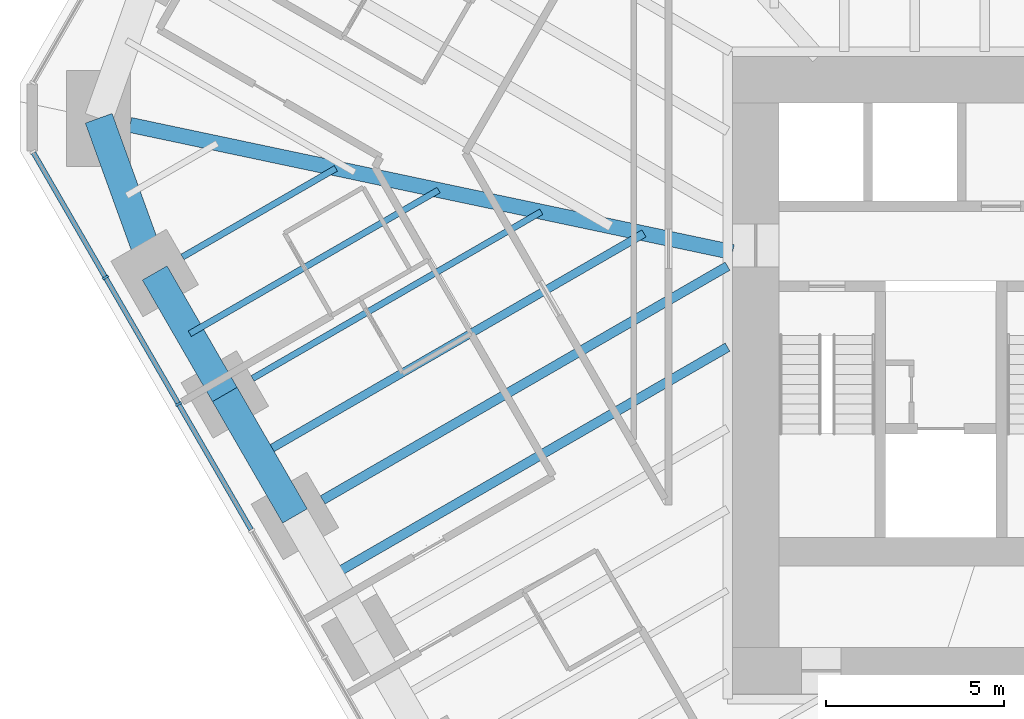
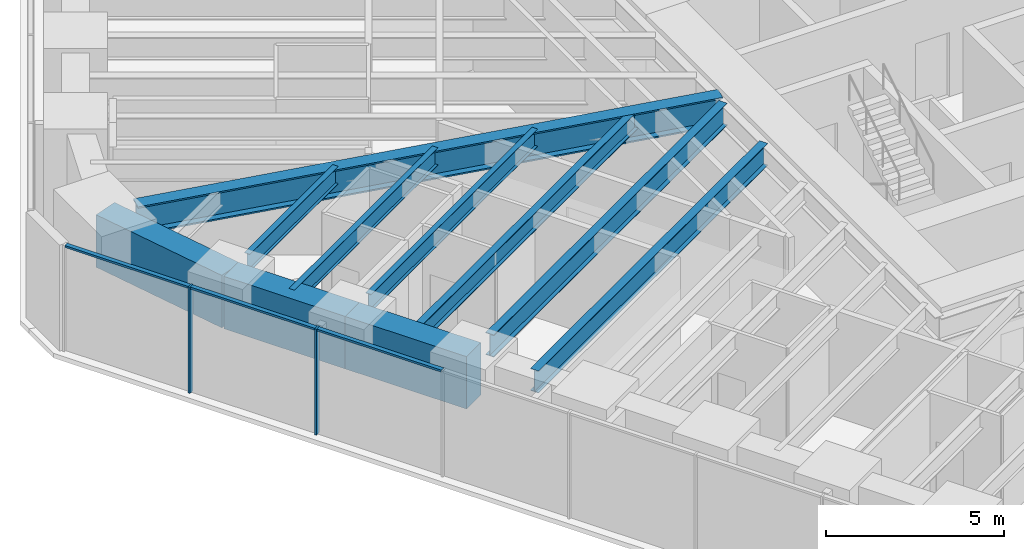
# One storey, part 3 of 17: 10 beams, 5 members, 1 element without a shape of its own.
"""IFC4 building model written with IfcOpenShell, lengths in metres."""

from ifc_helpers import new_model, si_unit, direction, frame, origin, origin_2d, place, context, subcontext, project, spatial, rectangle, i_section, extrude, material, material_profile, profile_set, type_object, element, aggregate, save


model = new_model("IFC4")

# Units and contexts
model_context = context("Model", 3, precision=1e-05, world=origin(), true_north=direction((0.0, 1.0)))
body_context = subcontext(model_context, "Body", "Model", "MODEL_VIEW")
ifc_project = project(units=[si_unit("LENGTHUNIT", "METRE"), si_unit("AREAUNIT", "SQUARE_METRE"), si_unit("VOLUMEUNIT", "CUBIC_METRE"), si_unit("PLANEANGLEUNIT", "RADIAN"), si_unit("MASSUNIT", "GRAM", prefix="KILO")], contexts=[model_context])

# Site, building, storey
site_placement = place(None, origin())
site = spatial("IfcSite", under=ifc_project, at=site_placement, CompositionType="ELEMENT")
building_placement = place(site_placement, origin())
building = spatial("IfcBuilding", under=site, at=building_placement, Name="Sandreach Pilgrim Tower", CompositionType="ELEMENT")
storey_placement = place(building_placement, frame((0.0, 0.0, 112.0)))
storey = spatial("IfcBuildingStorey", under=building, at=storey_placement, Name="L27", CompositionType="ELEMENT", Elevation=112.0)

# Curtain wall, members
ifc_material_1 = material(Name="Aluminium framed curtain wall", Category="aluminium")
curtain_wall_type = type_object("IfcCurtainWallType", Name="Hotel tower curtain wall", PredefinedType="NOTDEFINED", material=ifc_material_1)
curtain_wall_placement = place(storey_placement, origin())
curtain_wall = element("IfcCurtainWall", 1, at=curtain_wall_placement, inside=storey, type_object=curtain_wall_type, Name="CW-2 L27 SW", PredefinedType="NOTDEFINED")
ifc_material_2 = material(Name="Aluminium extrusion", Category="aluminium")
ifc_material_profile_1 = material_profile(ifc_material_2, rectangle(XDim=0.06494140625, YDim=0.179931640625, at=origin_2d()), Name="CW-2M 65X180")
ifc_profile_set_1 = profile_set([ifc_material_profile_1], Name="Aluminium extrusion")
member_type_1 = type_object("IfcMemberType", Name="CW-2 mullion", PredefinedType="MULLION", material=ifc_profile_set_1)
member_1_placement = place(storey_placement, frame((-24.614013671875, -2.35498046875, 0.0), z_axis=(0.0, 0.0, 1.0), x_axis=(-0.5, 0.866025403784, 0.0)))
member_1 = element("IfcMember", 2, at=member_1_placement, type_object=member_type_1, Name="CW-2 mullion 8", PredefinedType="MULLION", context=body_context, shape_type="SweptSolid", body=[
    extrude(rectangle(XDim=0.06494140625, YDim=0.179931640625, at=origin_2d()), origin(), (0.0, 0.0, 1.0), 3.639892578125),
])
member_2_placement = place(storey_placement, frame((-26.66748046875, 1.20166015625, 0.0), z_axis=(0.0, 0.0, 1.0), x_axis=(-0.5, 0.866025403784, 0.0)))
member_2 = element("IfcMember", 3, at=member_2_placement, type_object=member_type_1, Name="CW-2 mullion 9", PredefinedType="MULLION", context=body_context, shape_type="SweptSolid", body=[
    extrude(rectangle(XDim=0.06494140625, YDim=0.179931640625, at=origin_2d()), origin(), (0.0, 0.0, 1.0), 3.639892578125),
])
ifc_material_3 = material(Name="Aluminium extrusion", Category="aluminium")
ifc_material_profile_2 = material_profile(ifc_material_3, rectangle(XDim=0.139892578125, YDim=0.070068359375, at=origin_2d()), Name="CW-2T 140X70")
ifc_profile_set_2 = profile_set([ifc_material_profile_2], Name="Aluminium extrusion")
member_type_2 = type_object("IfcMemberType", Name="CW-2 transom", PredefinedType="USERDEFINED", material=ifc_profile_set_2)
member_3_placement = place(storey_placement, frame((-22.57666015625, -5.883544921875, 3.60498046875), z_axis=(-0.500023973715, 0.866011562111, 0.0), x_axis=(-0.866011562111, -0.500023973715, 0.0)))
member_3 = element("IfcMember", 4, at=member_3_placement, type_object=member_type_2, Name="CW-2 head transom 7", ObjectType="TRANSOM", PredefinedType="USERDEFINED", context=body_context, shape_type="SweptSolid", body=[
    extrude(rectangle(XDim=0.139892578125, YDim=0.070068359375, at=origin_2d()), origin(), (0.0, 0.0, 1.0), 4.041748046875),
])
member_4_placement = place(storey_placement, frame((-24.630126953125, -2.326904296875, 3.60498046875), z_axis=(-0.499997818338, 0.866026663364, 0.0), x_axis=(-0.866026663364, -0.499997818338, 0.0)))
member_4 = element("IfcMember", 5, at=member_4_placement, type_object=member_type_2, Name="CW-2 head transom 8", ObjectType="TRANSOM", PredefinedType="USERDEFINED", context=body_context, shape_type="SweptSolid", body=[
    extrude(rectangle(XDim=0.139892578125, YDim=0.070068359375, at=origin_2d()), origin(), (0.0, 0.0, 1.0), 4.0419921875),
])
member_5_placement = place(storey_placement, frame((-26.68359375, 1.229736328125, 3.60498046875), z_axis=(-0.500015851672, 0.866016251624, 0.0), x_axis=(-0.866016251624, -0.500015851672, 0.0)))
member_5 = element("IfcMember", 6, at=member_5_placement, type_object=member_type_2, Name="CW-2 head transom 9", ObjectType="TRANSOM", PredefinedType="USERDEFINED", context=body_context, shape_type="SweptSolid", body=[
    extrude(rectangle(XDim=0.139892578125, YDim=0.070068359375, at=origin_2d()), origin(), (0.0, 0.0, 1.0), 4.009521484375),
])
aggregate(curtain_wall, [member_1, member_2, member_3, member_4, member_5])

# Beams
ifc_material_4 = material(Name="Steel ASTM A992 Grade 50", Category="steel")
ifc_material_profile_3 = material_profile(ifc_material_4, i_section(OverallWidth=0.424072265625, OverallDepth=0.965087890625, WebThickness=0.028564453125, FlangeThickness=0.051025390625, at=origin_2d()), Name="W36X361")
ifc_profile_set_3 = profile_set([ifc_material_profile_3], Name="Steel ASTM A992 Grade 50")
beam_type_1 = type_object("IfcBeamType", Name="Corner girder W36X361", PredefinedType="BEAM", material=ifc_profile_set_3)
beam_1_placement = place(storey_placement, frame((-25.976806640625, 5.484619140625, 3.157470703125), z_axis=(0.978427882284, -0.206588671447, 0.0), x_axis=(0.206588671447, 0.978427882284, 0.0)))
element("IfcBeam", 7, at=beam_1_placement, inside=storey, type_object=beam_type_1, Name="BM L27 CG35", PredefinedType="BEAM", context=body_context, shape_type="SweptSolid", body=[
    extrude(i_section(OverallWidth=0.424072265625, OverallDepth=0.965087890625, WebThickness=0.028564453125, FlangeThickness=0.051025390625, at=origin_2d()), origin(), (0.0, 0.0, 1.0), 17.300048828125),
])
ifc_material_5 = material(Name="Steel ASTM A992 Grade 50", Category="steel")
ifc_material_profile_4 = material_profile(ifc_material_5, i_section(OverallWidth=0.1787109375, OverallDepth=0.60205078125, WebThickness=0.010986328125, FlangeThickness=0.014892578125, at=origin_2d()), Name="W24X62")
ifc_profile_set_4 = profile_set([ifc_material_profile_4], Name="Steel ASTM A992 Grade 50")
beam_type_2 = type_object("IfcBeamType", Name="Floor beam W24X62", PredefinedType="BEAM", material=ifc_profile_set_4)
beam_2_placement = place(storey_placement, frame((-22.534423828125, -1.63671875, 3.339111328125), z_axis=(0.866012351917, 0.500022605817, 0.0), x_axis=(-0.500022605817, 0.866012351917, 0.0)))
element("IfcBeam", 8, at=beam_2_placement, inside=storey, type_object=beam_type_2, Name="BM L27 F33", PredefinedType="BEAM", context=body_context, shape_type="SweptSolid", body=[
    extrude(i_section(OverallWidth=0.1787109375, OverallDepth=0.60205078125, WebThickness=0.010986328125, FlangeThickness=0.014892578125, at=origin_2d()), origin(), (0.0, 0.0, 1.0), 9.3642578125),
])
beam_3_placement = place(storey_placement, frame((-24.50439453125, 1.775390625, 3.339111328125), z_axis=(0.866024645457, 0.500001313459, 0.0), x_axis=(-0.500001313459, 0.866024645457, 0.0)))
element("IfcBeam", 9, at=beam_3_placement, inside=storey, type_object=beam_type_2, Name="BM L27 F34", PredefinedType="BEAM", context=body_context, shape_type="SweptSolid", body=[
    extrude(i_section(OverallWidth=0.1787109375, OverallDepth=0.60205078125, WebThickness=0.010986328125, FlangeThickness=0.014892578125, at=origin_2d()), origin(), (0.0, 0.0, 1.0), 4.9765625),
])
beam_4_placement = place(storey_placement, frame((-24.298828125, -0.380615234375, 3.339111328125), z_axis=(0.866022864518, 0.500004398112, 0.0), x_axis=(-0.500004398112, 0.866022864518, 0.0)))
element("IfcBeam", 10, at=beam_4_placement, inside=storey, type_object=beam_type_2, Name="BM L27 FM33", PredefinedType="BEAM", context=body_context, shape_type="SweptSolid", body=[
    extrude(i_section(OverallWidth=0.1787109375, OverallDepth=0.60205078125, WebThickness=0.010986328125, FlangeThickness=0.014892578125, at=origin_2d()), origin(), (0.0, 0.0, 1.0), 8.0703125),
])
ifc_material_6 = material(Name="Steel ASTM A992 Grade 50", Category="steel")
ifc_material_profile_5 = material_profile(ifc_material_6, i_section(OverallWidth=0.23046875, OverallDepth=0.6171875, WebThickness=0.01318359375, FlangeThickness=0.022216796875, at=origin_2d()), Name="W24X94")
ifc_profile_set_5 = profile_set([ifc_material_profile_5], Name="Steel ASTM A992 Grade 50")
beam_type_3 = type_object("IfcBeamType", Name="Floor beam W24X94", PredefinedType="BEAM", material=ifc_profile_set_5)
beam_5_placement = place(storey_placement, frame((-22.328857421875, -3.792724609375, 3.331298828125), z_axis=(0.866019150617, 0.500010830648, 0.0), x_axis=(-0.500010830648, 0.866019150617, 0.0)))
element("IfcBeam", 11, at=beam_5_placement, inside=storey, type_object=beam_type_3, Name="BM L27 FM32", PredefinedType="BEAM", context=body_context, shape_type="SweptSolid", body=[
    extrude(i_section(OverallWidth=0.23046875, OverallDepth=0.6171875, WebThickness=0.01318359375, FlangeThickness=0.022216796875, at=origin_2d()), origin(), (0.0, 0.0, 1.0), 12.458251953125),
])
ifc_material_7 = material(Name="Steel ASTM A992 Grade 50", Category="steel")
ifc_material_profile_6 = material_profile(ifc_material_7, i_section(OverallWidth=0.2666015625, OverallDepth=0.761962890625, WebThickness=0.014404296875, FlangeThickness=0.021484375, at=origin_2d()), Name="W30X116")
ifc_profile_set_6 = profile_set([ifc_material_profile_6], Name="Steel ASTM A992 Grade 50")
beam_type_4 = type_object("IfcBeamType", Name="Floor beam W30X116", PredefinedType="BEAM", material=ifc_profile_set_6)
beam_6_placement = place(storey_placement, frame((-20.564453125, -5.048828125, 3.259033203125), z_axis=(0.866022715736, 0.500004655807, 0.0), x_axis=(-0.500004655807, 0.866022715736, 0.0)))
element("IfcBeam", 12, at=beam_6_placement, inside=storey, type_object=beam_type_4, Name="BM L27 F32", PredefinedType="BEAM", context=body_context, shape_type="SweptSolid", body=[
    extrude(i_section(OverallWidth=0.2666015625, OverallDepth=0.761962890625, WebThickness=0.014404296875, FlangeThickness=0.021484375, at=origin_2d()), origin(), (0.0, 0.0, 1.0), 13.130126953125),
])
beam_7_placement = place(storey_placement, frame((-20.35888671875, -7.204833984375, 3.259033203125), z_axis=(0.866021609098, 0.500006572533, 0.0), x_axis=(-0.500006572533, 0.866021609098, 0.0)))
element("IfcBeam", 13, at=beam_7_placement, inside=storey, type_object=beam_type_4, Name="BM L27 FM31", PredefinedType="BEAM", context=body_context, shape_type="SweptSolid", body=[
    extrude(i_section(OverallWidth=0.2666015625, OverallDepth=0.761962890625, WebThickness=0.014404296875, FlangeThickness=0.021484375, at=origin_2d()), origin(), (0.0, 0.0, 1.0), 12.892822265625),
])
ifc_material_8 = material(Name="Concrete 10000 psi", Category="concrete")
ifc_material_profile_7 = material_profile(ifc_material_8, rectangle(XDim=0.800048828125, YDim=1.800048828125, at=origin_2d()), Name="RC800X1800")
ifc_profile_set_7 = profile_set([ifc_material_profile_7], Name="Concrete 10000 psi")
beam_type_5 = type_object("IfcBeamType", Name="Spandrel beam RC800X1800", PredefinedType="SPANDREL", material=ifc_profile_set_7)
for number, where, z_axis, x_axis, name in (
    (14, (-21.343994140625, -5.498779296875, 2.739990234375), (-0.49999779889, 0.866026674592, 0.0), (-0.866026674592, -0.49999779889, 0.0), "BM L27 SP32"),
    (15, (-23.31396484375, -2.086669921875, 2.739990234375), (-0.49999779889, 0.866026674592, 0.0), (-0.866026674592, -0.49999779889, 0.0), "BM L27 SP33"),
):
    element("IfcBeam", number, at=place(storey_placement, frame(where, z_axis=z_axis, x_axis=x_axis)), inside=storey, type_object=beam_type_5, Name=name, PredefinedType="SPANDREL", context=body_context, shape_type="SweptSolid", body=[
        extrude(rectangle(XDim=0.800048828125, YDim=1.800048828125, at=origin_2d()), origin(), (0.0, 0.0, 1.0), 3.93994140625),
    ])
beam_8_placement = place(storey_placement, frame((-25.283935546875, 1.325439453125, 2.739990234375), z_axis=(-0.340453163563, 0.940261476091, 0.0), x_axis=(-0.940261476091, -0.340453163563, 0.0)))
element("IfcBeam", 16, at=beam_8_placement, inside=storey, type_object=beam_type_5, Name="BM L27 SP34", PredefinedType="SPANDREL", context=body_context, shape_type="SweptSolid", body=[
    extrude(rectangle(XDim=0.800048828125, YDim=1.800048828125, at=origin_2d()), origin(), (0.0, 0.0, 1.0), 4.62109375),
])

save(model, "model.ifc")
